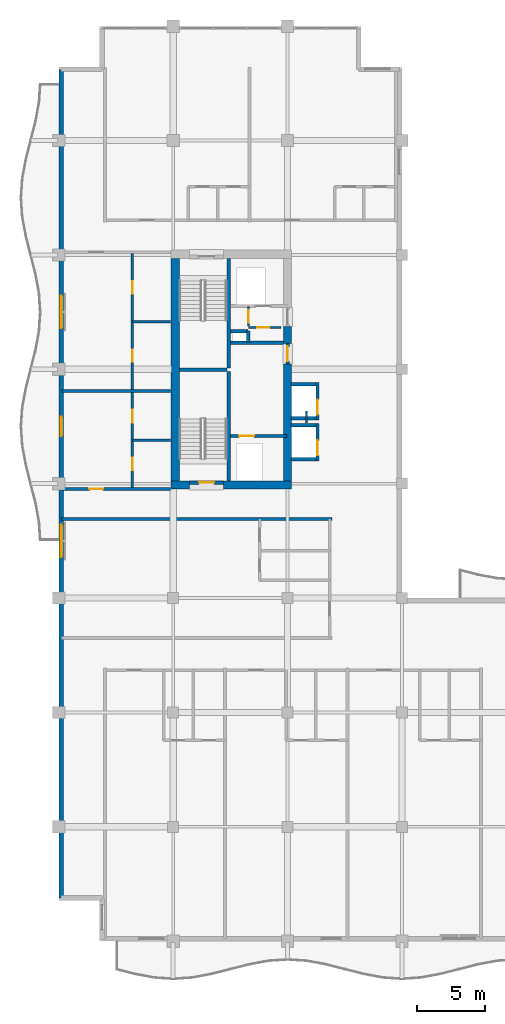
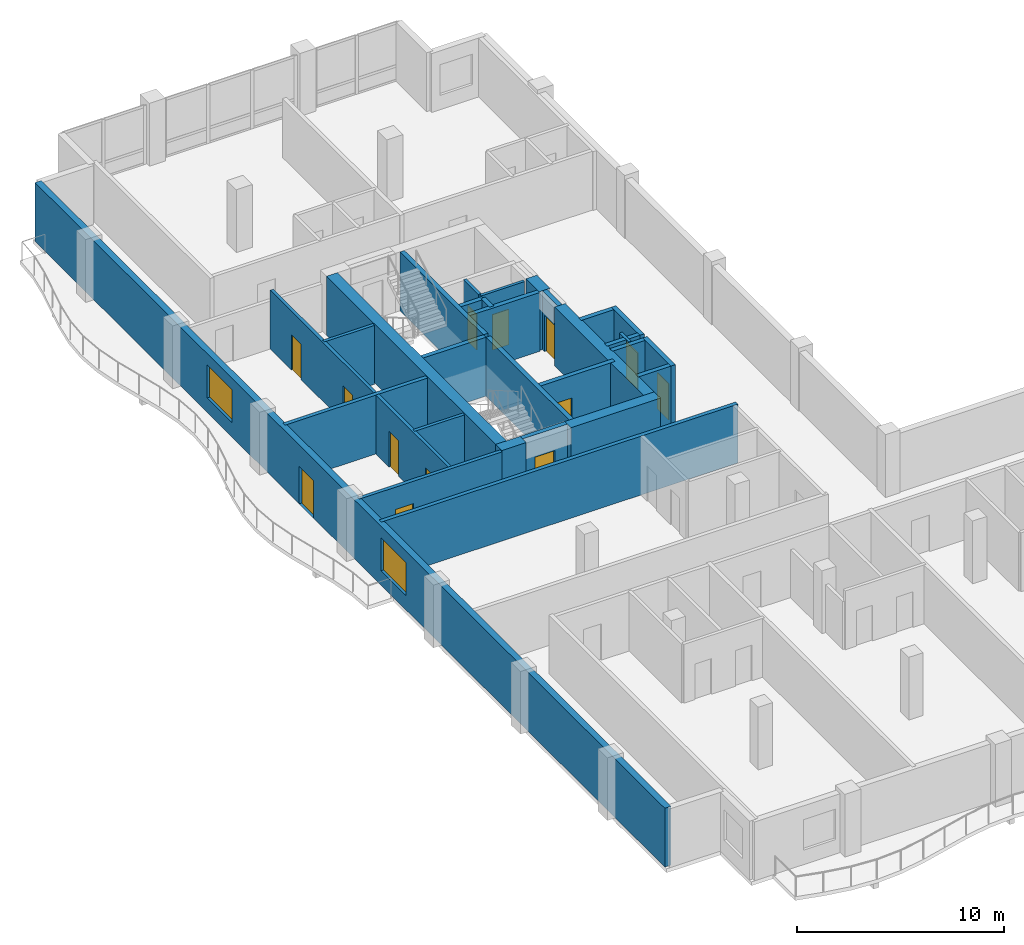
# One storey, part 9 of 17: 31 walls, 13 doors, 2 windows, 15 openings.
"""IFC4 building model written with IfcOpenShell, lengths in metres."""

from ifc_helpers import new_model, si_unit, direction, frame, frame_2d, origin, place, context, subcontext, project, spatial, rectangle, extrude, material, layer, layer_set, type_object, element, fill, save


model = new_model("IFC4")

# Units and contexts
model_context = context("Model", 3, precision=1e-05, world=origin(), true_north=direction((0.0, 1.0)))
body_context = subcontext(model_context, "Body", "Model", "MODEL_VIEW")
ifc_project = project(units=[si_unit("LENGTHUNIT", "METRE"), si_unit("AREAUNIT", "SQUARE_METRE"), si_unit("VOLUMEUNIT", "CUBIC_METRE"), si_unit("PLANEANGLEUNIT", "RADIAN"), si_unit("MASSUNIT", "GRAM", prefix="KILO")], contexts=[model_context])

# Site, building, storey
site_placement = place(None, origin())
site = spatial("IfcSite", under=ifc_project, at=site_placement, CompositionType="ELEMENT")
building_placement = place(site_placement, origin())
building = spatial("IfcBuilding", under=site, at=building_placement, Name="Koriwani Terraces Tower", CompositionType="ELEMENT")
storey_placement = place(building_placement, frame((0.0, 0.0, 237.89990234375)))
storey = spatial("IfcBuildingStorey", under=building, at=storey_placement, Name="L58", CompositionType="ELEMENT", Elevation=237.89990234375)

# Walls
ifc_material_1 = material(Name="Concrete C60/75", Category="concrete")
ifc_layer_1 = layer(ifc_material_1, 0.60009765625, Name="Concrete C60/75")
ifc_layer_set_1 = layer_set([ifc_layer_1], Name="Concrete C60/75")
wall_type_1 = type_object("IfcWallType", Name="WALL_CORE_RC_600", PredefinedType="SHEAR", material=ifc_layer_set_1)
wall_1_placement = place(storey_placement, frame((16.64990234375, 41.89990234375, 0.0), z_axis=(0.0, 0.0, 1.0), x_axis=(1.0, 0.0, 0.0)))
element("IfcWall", 1, at=wall_1_placement, inside=storey, type_object=wall_type_1, Name="L58 West Split Core Shear Wall S1", PredefinedType="SHEAR", context=body_context, shape_type="SweptSolid", body=[
    extrude(rectangle(XDim=1.35009765625, YDim=0.60009765625, at=frame_2d((0.675048828125, 0.0))), origin(), (0.0, 0.0, 1.0), 3.47021484375),
])
wall_2_placement = place(storey_placement, frame((20.5, 41.89990234375, 0.0), z_axis=(0.0, 0.0, 1.0), x_axis=(1.0, 0.0, 0.0)))
element("IfcWall", 2, at=wall_2_placement, inside=storey, type_object=wall_type_1, Name="L58 West Split Core Shear Wall S2", PredefinedType="SHEAR", context=body_context, shape_type="SweptSolid", body=[
    extrude(rectangle(XDim=5.0, YDim=0.60009765625, at=frame_2d((2.5, 0.0))), origin(), (0.0, 0.0, 1.0), 3.47021484375),
])
wall_3_placement = place(storey_placement, frame((16.949951171875, 42.199951171875, 0.0), z_axis=(0.0, 0.0, 1.0), x_axis=(0.0, 1.0, 0.0)))
element("IfcWall", 3, at=wall_3_placement, inside=storey, type_object=wall_type_1, Name="L58 West Split Core Shear Wall W1", PredefinedType="SHEAR", context=body_context, shape_type="SweptSolid", body=[
    extrude(rectangle(XDim=16.35009765625, YDim=0.60009765625, at=frame_2d((8.175048828125, 0.0))), origin(), (0.0, 0.0, 1.0), 3.47021484375),
])
wall_4_placement = place(storey_placement, frame((25.199951171875, 42.199951171875, 0.0), z_axis=(0.0, 0.0, 1.0), x_axis=(0.0, 1.0, 0.0)))
element("IfcWall", 4, at=wall_4_placement, inside=storey, type_object=wall_type_1, Name="L58 West Split Core Shear Wall E1", PredefinedType="SHEAR", context=body_context, shape_type="SweptSolid", body=[
    extrude(rectangle(XDim=8.60009765625, YDim=0.60009765625, at=frame_2d((4.300048828125, 0.0))), origin(), (0.0, 0.0, 1.0), 3.47021484375),
])
wall_5_placement = place(storey_placement, frame((25.199951171875, 52.280029296875, 0.0), z_axis=(0.0, 0.0, 1.0), x_axis=(0.0, 1.0, 0.0)))
element("IfcWall", 5, at=wall_5_placement, inside=storey, type_object=wall_type_1, Name="L58 West Split Core Shear Wall E2", PredefinedType="SHEAR", context=body_context, shape_type="SweptSolid", body=[
    extrude(rectangle(XDim=1.27001953125, YDim=0.60009765625, at=frame_2d((0.635009765625, 0.0))), origin(), (0.0, 0.0, 1.0), 3.47021484375),
])

# Wall, opening, door
ifc_material_2 = material(Name="Autoclaved Cellular Concrete Blockwork", Category="masonry")
ifc_layer_2 = layer(ifc_material_2, 0.199951171875, Name="Autoclaved Cellular Concrete Blockwork")
ifc_layer_set_2 = layer_set([ifc_layer_2], Name="Autoclaved Cellular Concrete Blockwork")
wall_type_2 = type_object("IfcWallType", Name="WALL_CORRIDOR_200", PredefinedType="PARTITIONING", material=ifc_layer_set_2)
wall_6_placement = place(storey_placement, frame((8.64990234375, 41.60009765625, 0.0), z_axis=(0.0, 0.0, 1.0), x_axis=(1.0, 0.0, 0.0)))
wall_6 = element("IfcWall", 6, at=wall_6_placement, inside=storey, type_object=wall_type_2, Name="L58 Interior Wall WRZ4-WS-L58", PredefinedType="PARTITIONING", context=body_context, shape_type="SweptSolid", body=[
    extrude(rectangle(XDim=7.9501953125, YDim=0.199951171875, at=frame_2d((3.97509765625, 0.0))), origin(), (0.0, 0.0, 1.0), 3.47021484375),
])
opening_1_placement = place(wall_6_placement, frame((2.0, 0.0, 0.0)))
opening_1 = element("IfcOpeningElement", 7, at=opening_1_placement, cuts=wall_6, Name="Opening D-05", PredefinedType="OPENING", context=body_context, shape_type="SweptSolid", body=[
    extrude(rectangle(XDim=1.0, YDim=2.14990234375, at=frame_2d((0.5, 1.074951171875))), frame((0.0, 0.10986328125, 0.0), z_axis=(0.0, -1.0, 0.0), x_axis=(1.0, 0.0, 0.0)), (0.0, 0.0, 1.0), 0.219970703125),
])
ifc_material_3 = material(Name="Architectural Oak Fire Door", Category="wood")
door_type_1 = type_object("IfcDoorType", Name="DOOR_SUITE_ENTRY_1000X2150", OperationType="NOTDEFINED", PredefinedType="DOOR", material=ifc_material_3)
door_1_placement = place(opening_1_placement, origin())
door_1 = element("IfcDoor", 8, at=door_1_placement, inside=storey, type_object=door_type_1, Name="Apartment 58RW1 Entrance Door", OperationType="SINGLE_SWING_RIGHT", OverallHeight=2.14990234375, OverallWidth=1.0, PredefinedType="DOOR", context=body_context, shape_type="SweptSolid", body=[
    extrude(rectangle(XDim=1.0, YDim=2.14990234375, at=frame_2d((0.5, 1.074951171875))), frame((0.0, 0.02490234375, 0.0), z_axis=(0.0, -1.0, 0.0), x_axis=(1.0, 0.0, 0.0)), (0.0, 0.0, 1.0), 0.050048828125),
])
fill(opening_1, door_1)

# Walls
ifc_layer_3 = layer(ifc_material_2, 0.219970703125, Name="Autoclaved Cellular Concrete Blockwork")
ifc_layer_set_3 = layer_set([ifc_layer_3], Name="Autoclaved Cellular Concrete Blockwork")
wall_type_3 = type_object("IfcWallType", Name="WALL_DEMISING_220", PredefinedType="PARTITIONING", material=ifc_layer_set_3)
wall_7_placement = place(storey_placement, frame((8.64990234375, 48.800048828125, 0.0), z_axis=(0.0, 0.0, 1.0), x_axis=(1.0, 0.0, 0.0)))
element("IfcWall", 9, at=wall_7_placement, inside=storey, type_object=wall_type_3, Name="L58 Interior Wall WRZ4-WM-L58", PredefinedType="PARTITIONING", context=body_context, shape_type="SweptSolid", body=[
    extrude(rectangle(XDim=7.9501953125, YDim=0.219970703125, at=frame_2d((3.97509765625, 0.0))), origin(), (0.0, 0.0, 1.0), 3.47021484375),
])
wall_8_placement = place(storey_placement, frame((8.60009765625, 39.39990234375, 0.0), z_axis=(0.0, 0.0, 1.0), x_axis=(1.0, 0.0, 0.0)))
element("IfcWall", 10, at=wall_8_placement, inside=storey, type_object=wall_type_3, Name="L58 Interior Wall WRDEME-L58-NE", PredefinedType="PARTITIONING", context=body_context, shape_type="SweptSolid", body=[
    extrude(rectangle(XDim=19.8798828125, YDim=0.219970703125, at=frame_2d((9.93994140625, 0.0))), origin(), (0.0, 0.0, 1.0), 3.47021484375),
])

# Wall, openings, door, windows
ifc_material_4 = material(Name="Concrete C50/60", Category="concrete")
ifc_layer_4 = layer(ifc_material_4, 0.35009765625, Name="Concrete C50/60")
ifc_layer_set_4 = layer_set([ifc_layer_4], Name="Concrete C50/60")
wall_type_4 = type_object("IfcWallType", Name="WALL_EXT_BRUTALIST_350", PredefinedType="STANDARD", material=ifc_layer_set_4)
wall_9_placement = place(storey_placement, frame((8.574951171875, 11.574951171875, 0.0), z_axis=(0.0, 0.0, 1.0), x_axis=(0.0, 1.0, 0.0)))
wall_9 = element("IfcWall", 11, at=wall_9_placement, inside=storey, type_object=wall_type_4, Name="L58 Fair-Faced Brutalist Exterior Wall (W)", PredefinedType="STANDARD", context=body_context, shape_type="SweptSolid", body=[
    extrude(rectangle(XDim=60.85009765625, YDim=0.35009765625, at=frame_2d((30.425048828125, 0.0))), origin(), (0.0, 0.0, 1.0), 3.47021484375),
])
opening_2_placement = place(wall_9_placement, frame((33.925048828125, 0.0, 0.0)))
opening_2 = element("IfcOpeningElement", 12, at=opening_2_placement, cuts=wall_9, Name="Opening D-09", PredefinedType="OPENING", context=body_context, shape_type="SweptSolid", body=[
    extrude(rectangle(XDim=1.39990234375, YDim=2.199951171875, at=frame_2d((0.699951171875, 1.10009765625))), frame((0.0, 0.18505859375, 0.0), z_axis=(0.0, -1.0, 0.0), x_axis=(1.0, 0.0, 0.0)), (0.0, 0.0, 1.0), 0.3701171875),
])
opening_3_placement = place(wall_9_placement, frame((25.02490234375, 0.0, 0.85009765625)))
opening_3 = element("IfcOpeningElement", 13, at=opening_3_placement, cuts=wall_9, Name="Opening W-03", PredefinedType="OPENING", context=body_context, shape_type="SweptSolid", body=[
    extrude(rectangle(XDim=2.39990234375, YDim=1.949951171875, at=frame_2d((1.199951171875, 0.97509765625))), frame((0.0, 0.18505859375, 0.0), z_axis=(0.0, -1.0, 0.0), x_axis=(1.0, 0.0, 0.0)), (0.0, 0.0, 1.0), 0.3701171875),
])
opening_4_placement = place(wall_9_placement, frame((41.824951171875, 0.0, 0.85009765625)))
opening_4 = element("IfcOpeningElement", 14, at=opening_4_placement, cuts=wall_9, Name="Opening W-03", PredefinedType="OPENING", context=body_context, shape_type="SweptSolid", body=[
    extrude(rectangle(XDim=2.39990234375, YDim=1.949951171875, at=frame_2d((1.199951171875, 0.97509765625))), frame((0.0, 0.18505859375, 0.0), z_axis=(0.0, -1.0, 0.0), x_axis=(1.0, 0.0, 0.0)), (0.0, 0.0, 1.0), 0.3701171875),
])
ifc_material_5 = material(Name="Anodised Bronze Aluminium", Category="aluminium")
door_type_2 = type_object("IfcDoorType", Name="DOOR_BALCONY_GLAZED_1400X2200", OperationType="NOTDEFINED", PredefinedType="DOOR", material=ifc_material_5)
door_2_placement = place(opening_2_placement, origin())
door_2 = element("IfcDoor", 15, at=door_2_placement, inside=storey, type_object=door_type_2, Name="L58 West Balcony Glazed Door", OperationType="SINGLE_SWING_LEFT", OverallHeight=2.199951171875, OverallWidth=1.39990234375, PredefinedType="DOOR", context=body_context, shape_type="SweptSolid", body=[
    extrude(rectangle(XDim=1.39990234375, YDim=2.199951171875, at=frame_2d((0.699951171875, 1.10009765625))), frame((0.0, 0.02490234375, 0.0), z_axis=(0.0, -1.0, 0.0), x_axis=(1.0, 0.0, 0.0)), (0.0, 0.0, 1.0), 0.050048828125),
])
fill(opening_2, door_2)
ifc_material_6 = material(Name="Tempered Laminated Low-E Glass", Category="glass")
window_type = type_object("IfcWindowType", Name="WIN_RES_LIVING_2400X1950", PartitioningType="DOUBLE_PANEL_VERTICAL", PredefinedType="WINDOW", material=ifc_material_6)
window_1_placement = place(opening_3_placement, origin())
window_1 = element("IfcWindow", 16, at=window_1_placement, inside=storey, type_object=window_type, Name="L58 Exterior Window (W-9)", OverallHeight=1.949951171875, OverallWidth=2.39990234375, PartitioningType="SINGLE_PANEL", PredefinedType="WINDOW", context=body_context, shape_type="SweptSolid", body=[
    extrude(rectangle(XDim=2.39990234375, YDim=1.949951171875, at=frame_2d((1.199951171875, 0.97509765625))), frame((0.0, 0.030029296875, 0.0), z_axis=(0.0, -1.0, 0.0), x_axis=(1.0, 0.0, 0.0)), (0.0, 0.0, 1.0), 0.06005859375),
])
fill(opening_3, window_1)
window_2_placement = place(opening_4_placement, origin())
window_2 = element("IfcWindow", 17, at=window_2_placement, inside=storey, type_object=window_type, Name="L58 Exterior Window (W-15)", OverallHeight=1.949951171875, OverallWidth=2.39990234375, PartitioningType="SINGLE_PANEL", PredefinedType="WINDOW", context=body_context, shape_type="SweptSolid", body=[
    extrude(rectangle(XDim=2.39990234375, YDim=1.949951171875, at=frame_2d((1.199951171875, 0.97509765625))), frame((0.0, 0.030029296875, 0.0), z_axis=(0.0, -1.0, 0.0), x_axis=(1.0, 0.0, 0.0)), (0.0, 0.0, 1.0), 0.06005859375),
])
fill(opening_4, window_2)

# Wall, openings, doors
ifc_material_7 = material(Name="Fire-Rated Acoustic Gypsum Partition", Category="masonry")
ifc_layer_5 = layer(ifc_material_7, 0.179931640625, Name="Fire-Rated Acoustic Gypsum Partition")
ifc_layer_set_5 = layer_set([ifc_layer_5], Name="Fire-Rated Acoustic Gypsum Partition")
wall_type_5 = type_object("IfcWallType", Name="WALL_PLUMBING_180", PredefinedType="PLUMBINGWALL", material=ifc_layer_set_5)
wall_10_placement = place(storey_placement, frame((13.800048828125, 41.699951171875, 0.0), z_axis=(0.0, 0.0, 1.0), x_axis=(0.0, 1.0, 0.0)))
wall_10 = element("IfcWall", 18, at=wall_10_placement, inside=storey, type_object=wall_type_5, Name="L58 Interior Wall WRZ4-RW1-PB-L58", PredefinedType="PLUMBINGWALL", context=body_context, shape_type="SweptSolid", body=[
    extrude(rectangle(XDim=7.0, YDim=0.179931640625, at=frame_2d((3.5, 0.0))), origin(), (0.0, 0.0, 1.0), 3.47021484375),
])
opening_5_placement = place(wall_10_placement, frame((1.300048828125, 0.0, 0.0)))
opening_5 = element("IfcOpeningElement", 19, at=opening_5_placement, cuts=wall_10, Name="Opening D-07", PredefinedType="OPENING", context=body_context, shape_type="SweptSolid", body=[
    extrude(rectangle(XDim=0.89990234375, YDim=2.10009765625, at=frame_2d((0.449951171875, 1.050048828125))), frame((0.0, 0.10009765625, 0.0), z_axis=(0.0, -1.0, 0.0), x_axis=(1.0, 0.0, 0.0)), (0.0, 0.0, 1.0), 0.199951171875),
])
opening_6_placement = place(wall_10_placement, frame((4.7900390625, 0.0, 0.0)))
opening_6 = element("IfcOpeningElement", 20, at=opening_6_placement, cuts=wall_10, Name="Opening D-06", PredefinedType="OPENING", context=body_context, shape_type="SweptSolid", body=[
    extrude(rectangle(XDim=0.919921875, YDim=2.10009765625, at=frame_2d((0.4599609375, 1.050048828125))), frame((0.0, 0.10009765625, 0.0), z_axis=(0.0, -1.0, 0.0), x_axis=(1.0, 0.0, 0.0)), (0.0, 0.0, 1.0), 0.199951171875),
])
door_type_3 = type_object("IfcDoorType", Name="DOOR_BATH_INT_900X2100", OperationType="NOTDEFINED", PredefinedType="DOOR", material=ifc_material_3)
door_3_placement = place(opening_5_placement, origin())
door_3 = element("IfcDoor", 21, at=door_3_placement, inside=storey, type_object=door_type_3, Name="Apartment 58RW1 Bathroom Door", OperationType="SINGLE_SWING_RIGHT", OverallHeight=2.10009765625, OverallWidth=0.89990234375, PredefinedType="DOOR", context=body_context, shape_type="SweptSolid", body=[
    extrude(rectangle(XDim=0.89990234375, YDim=2.10009765625, at=frame_2d((0.449951171875, 1.050048828125))), frame((0.0, 0.02490234375, 0.0), z_axis=(0.0, -1.0, 0.0), x_axis=(1.0, 0.0, 0.0)), (0.0, 0.0, 1.0), 0.050048828125),
])
fill(opening_5, door_3)
door_type_4 = type_object("IfcDoorType", Name="DOOR_ROOM_INT_920X2100", OperationType="NOTDEFINED", PredefinedType="DOOR", material=ifc_material_3)
door_4_placement = place(opening_6_placement, origin())
door_4 = element("IfcDoor", 22, at=door_4_placement, inside=storey, type_object=door_type_4, Name="Apartment 58RW1 Kitchen Door", OperationType="SINGLE_SWING_LEFT", OverallHeight=2.10009765625, OverallWidth=0.919921875, PredefinedType="DOOR", context=body_context, shape_type="SweptSolid", body=[
    extrude(rectangle(XDim=0.919921875, YDim=2.10009765625, at=frame_2d((0.4599609375, 1.050048828125))), frame((0.0, 0.02490234375, 0.0), z_axis=(0.0, -1.0, 0.0), x_axis=(1.0, 0.0, 0.0)), (0.0, 0.0, 1.0), 0.050048828125),
])
fill(opening_6, door_4)

# Wall
wall_11_placement = place(storey_placement, frame((13.800048828125, 45.199951171875, 0.0), z_axis=(0.0, 0.0, 1.0), x_axis=(1.0, 0.0, 0.0)))
element("IfcWall", 23, at=wall_11_placement, inside=storey, type_object=wall_type_5, Name="L58 Interior Wall WRZ4-RW1-P2-L58", PredefinedType="PLUMBINGWALL", context=body_context, shape_type="SweptSolid", body=[
    extrude(rectangle(XDim=2.800048828125, YDim=0.179931640625, at=frame_2d((1.39990234375, 0.0))), origin(), (0.0, 0.0, 1.0), 3.47021484375),
])

# Wall, openings, doors
wall_12_placement = place(storey_placement, frame((13.800048828125, 48.89990234375, 0.0), z_axis=(0.0, 0.0, 1.0), x_axis=(0.0, 1.0, 0.0)))
wall_12 = element("IfcWall", 24, at=wall_12_placement, inside=storey, type_object=wall_type_5, Name="L58 Interior Wall WRZ4-RW2-PB-L58", PredefinedType="PLUMBINGWALL", context=body_context, shape_type="SweptSolid", body=[
    extrude(rectangle(XDim=10.0, YDim=0.179931640625, at=frame_2d((5.0, 0.0))), origin(), (0.0, 0.0, 1.0), 3.47021484375),
])
opening_7_placement = place(wall_12_placement, frame((2.050048828125, 0.0, 0.0)))
opening_7 = element("IfcOpeningElement", 25, at=opening_7_placement, cuts=wall_12, Name="Opening D-07", PredefinedType="OPENING", context=body_context, shape_type="SweptSolid", body=[
    extrude(rectangle(XDim=0.89990234375, YDim=2.10009765625, at=frame_2d((0.449951171875, 1.050048828125))), frame((0.0, 0.10009765625, 0.0), z_axis=(0.0, -1.0, 0.0), x_axis=(1.0, 0.0, 0.0)), (0.0, 0.0, 1.0), 0.199951171875),
])
opening_8_placement = place(wall_12_placement, frame((7.0400390625, 0.0, 0.0)))
opening_8 = element("IfcOpeningElement", 26, at=opening_8_placement, cuts=wall_12, Name="Opening D-06", PredefinedType="OPENING", context=body_context, shape_type="SweptSolid", body=[
    extrude(rectangle(XDim=0.919921875, YDim=2.10009765625, at=frame_2d((0.4599609375, 1.050048828125))), frame((0.0, 0.10009765625, 0.0), z_axis=(0.0, -1.0, 0.0), x_axis=(1.0, 0.0, 0.0)), (0.0, 0.0, 1.0), 0.199951171875),
])
door_5_placement = place(opening_7_placement, origin())
door_5 = element("IfcDoor", 27, at=door_5_placement, inside=storey, type_object=door_type_3, Name="Apartment 58RW2 Bathroom Door", OperationType="SINGLE_SWING_RIGHT", OverallHeight=2.10009765625, OverallWidth=0.89990234375, PredefinedType="DOOR", context=body_context, shape_type="SweptSolid", body=[
    extrude(rectangle(XDim=0.89990234375, YDim=2.10009765625, at=frame_2d((0.449951171875, 1.050048828125))), frame((0.0, 0.02490234375, 0.0), z_axis=(0.0, -1.0, 0.0), x_axis=(1.0, 0.0, 0.0)), (0.0, 0.0, 1.0), 0.050048828125),
])
fill(opening_7, door_5)
door_6_placement = place(opening_8_placement, origin())
door_6 = element("IfcDoor", 28, at=door_6_placement, inside=storey, type_object=door_type_4, Name="Apartment 58RW2 Kitchen Door", OperationType="SINGLE_SWING_LEFT", OverallHeight=2.10009765625, OverallWidth=0.919921875, PredefinedType="DOOR", context=body_context, shape_type="SweptSolid", body=[
    extrude(rectangle(XDim=0.919921875, YDim=2.10009765625, at=frame_2d((0.4599609375, 1.050048828125))), frame((0.0, 0.02490234375, 0.0), z_axis=(0.0, -1.0, 0.0), x_axis=(1.0, 0.0, 0.0)), (0.0, 0.0, 1.0), 0.050048828125),
])
fill(opening_8, door_6)

# Walls
wall_13_placement = place(storey_placement, frame((13.800048828125, 53.89990234375, 0.0), z_axis=(0.0, 0.0, 1.0), x_axis=(1.0, 0.0, 0.0)))
element("IfcWall", 29, at=wall_13_placement, inside=storey, type_object=wall_type_5, Name="L58 Interior Wall WRZ4-RW2-P2-L58", PredefinedType="PLUMBINGWALL", context=body_context, shape_type="SweptSolid", body=[
    extrude(rectangle(XDim=2.800048828125, YDim=0.179931640625, at=frame_2d((1.39990234375, 0.0))), origin(), (0.0, 0.0, 1.0), 3.47021484375),
])
ifc_material_8 = material(Name="Concrete C40/50", Category="concrete")
ifc_layer_6 = layer(ifc_material_8, 0.25, Name="Concrete C40/50")
ifc_layer_set_6 = layer_set([ifc_layer_6], Name="Concrete C40/50")
wall_type_6 = type_object("IfcWallType", Name="WALL_SHAFT_RATED_250", PredefinedType="SOLIDWALL", material=ifc_layer_set_6)
for number, where, z_axis, x_axis, name in (
    (30, (20.875, 42.199951171875, 0.0), (0.0, 0.0, 1.0), (0.0, 1.0, 0.0), "L58 West Split Core Web Wall MID1"),
    (31, (20.875, 50.5, 0.0), (0.0, 0.0, 1.0), (0.0, 1.0, 0.0), "L58 West Split Core Web Wall MID2"),
):
    element("IfcWall", number, at=place(storey_placement, frame(where, z_axis=z_axis, x_axis=x_axis)), inside=storey, type_object=wall_type_6, Name=name, PredefinedType="SOLIDWALL", context=body_context, shape_type="SweptSolid", body=[
        extrude(rectangle(XDim=8.050048828125, YDim=0.25, at=frame_2d((4.02490234375, 0.0))), origin(), (0.0, 0.0, 1.0), 3.47021484375),
    ])
wall_14_placement = place(storey_placement, frame((17.25, 50.375, 0.0), z_axis=(0.0, 0.0, 1.0), x_axis=(1.0, 0.0, 0.0)))
element("IfcWall", 32, at=wall_14_placement, inside=storey, type_object=wall_type_6, Name="L58 West Split Core Stair Dividing Wall", PredefinedType="SOLIDWALL", context=body_context, shape_type="SweptSolid", body=[
    extrude(rectangle(XDim=3.5, YDim=0.25, at=frame_2d((1.75, 0.0))), origin(), (0.0, 0.0, 1.0), 3.47021484375),
])

# Wall, opening, door
wall_15_placement = place(storey_placement, frame((18.0, 42.074951171875, 0.0), z_axis=(0.0, 0.0, 1.0), x_axis=(1.0, 0.0, 0.0)))
wall_15 = element("IfcWall", 33, at=wall_15_placement, inside=storey, type_object=wall_type_6, Name="L58 Interior Wall WIN-CW-L58-STS", PredefinedType="SOLIDWALL", context=body_context, shape_type="SweptSolid", body=[
    extrude(rectangle(XDim=2.5, YDim=0.25, at=frame_2d((1.25, 0.0))), origin(), (0.0, 0.0, 1.0), 3.47021484375),
])
opening_9_placement = place(wall_15_placement, frame((0.699951171875, 0.0, 0.0)))
opening_9 = element("IfcOpeningElement", 34, at=opening_9_placement, cuts=wall_15, Name="Opening D-03", PredefinedType="OPENING", context=body_context, shape_type="SweptSolid", body=[
    extrude(rectangle(XDim=1.10009765625, YDim=2.14990234375, at=frame_2d((0.550048828125, 1.074951171875))), frame((0.0, 0.135009765625, 0.0), z_axis=(0.0, -1.0, 0.0), x_axis=(1.0, 0.0, 0.0)), (0.0, 0.0, 1.0), 0.27001953125),
])
ifc_material_9 = material(Name="Steel ASTM A572 Grade 50", Category="steel")
door_type_5 = type_object("IfcDoorType", Name="DOOR_STAIR_FIRE_1100X2150", OperationType="NOTDEFINED", PredefinedType="DOOR", material=ifc_material_9)
door_7_placement = place(opening_9_placement, origin())
door_7 = element("IfcDoor", 35, at=door_7_placement, inside=storey, type_object=door_type_5, Name="L58 Exit Stair ST-W1 Door", OperationType="SINGLE_SWING_RIGHT", OverallHeight=2.14990234375, OverallWidth=1.10009765625, PredefinedType="DOOR", context=body_context, shape_type="SweptSolid", body=[
    extrude(rectangle(XDim=1.10009765625, YDim=2.14990234375, at=frame_2d((0.550048828125, 1.074951171875))), frame((0.0, 0.02490234375, 0.0), z_axis=(0.0, -1.0, 0.0), x_axis=(1.0, 0.0, 0.0)), (0.0, 0.0, 1.0), 0.050048828125),
])
fill(opening_9, door_7)

wall_16_placement = place(storey_placement, frame((21.0, 45.5, 0.0), z_axis=(0.0, 0.0, 1.0), x_axis=(1.0, 0.0, 0.0)))
wall_16 = element("IfcWall", 36, at=wall_16_placement, inside=storey, type_object=wall_type_6, Name="L58 Interior Wall WIN-CW-L58-FE", PredefinedType="SOLIDWALL", context=body_context, shape_type="SweptSolid", body=[
    extrude(rectangle(XDim=4.14990234375, YDim=0.25, at=frame_2d((2.074951171875, 0.0))), origin(), (0.0, 0.0, 1.0), 3.47021484375),
])
opening_10_placement = place(wall_16_placement, frame((0.64990234375, 0.0, 0.0)))
opening_10 = element("IfcOpeningElement", 37, at=opening_10_placement, cuts=wall_16, Name="Opening LD-01", PredefinedType="OPENING", context=body_context, shape_type="SweptSolid", body=[
    extrude(rectangle(XDim=1.10009765625, YDim=2.14990234375, at=frame_2d((0.550048828125, 1.074951171875))), frame((0.0, 0.135009765625, 0.0), z_axis=(0.0, -1.0, 0.0), x_axis=(1.0, 0.0, 0.0)), (0.0, 0.0, 1.0), 0.27001953125),
])
door_type_6 = type_object("IfcDoorType", Name="DOOR_LIFT_LANDING_1100X2200", OperationType="NOTDEFINED", PredefinedType="DOOR", material=ifc_material_9)
door_8_placement = place(opening_10_placement, origin())
door_8 = element("IfcDoor", 38, at=door_8_placement, inside=storey, type_object=door_type_6, Name="L58 Firefighting Lift FE-01 Landing Door", OperationType="SLIDING_TO_LEFT", OverallHeight=2.14990234375, OverallWidth=1.10009765625, PredefinedType="DOOR", context=body_context, shape_type="SweptSolid", body=[
    extrude(rectangle(XDim=1.10009765625, YDim=2.14990234375, at=frame_2d((0.550048828125, 1.074951171875))), frame((0.0, 0.02490234375, 0.0), z_axis=(0.0, -1.0, 0.0), x_axis=(1.0, 0.0, 0.0)), (0.0, 0.0, 1.0), 0.050048828125),
])
fill(opening_10, door_8)

wall_17_placement = place(storey_placement, frame((25.199951171875, 50.800048828125, 0.0), z_axis=(0.0, 0.0, 1.0), x_axis=(0.0, 1.0, 0.0)))
wall_17 = element("IfcWall", 39, at=wall_17_placement, inside=storey, type_object=wall_type_6, Name="L58 Interior Wall WIN-CW-L58-EP", PredefinedType="SOLIDWALL", context=body_context, shape_type="SweptSolid", body=[
    extrude(rectangle(XDim=1.47998046875, YDim=0.25, at=frame_2d((0.739990234375, 0.0))), origin(), (0.0, 0.0, 1.0), 3.47021484375),
])
opening_11_placement = place(wall_17_placement, frame((0.179931640625, 0.0, 0.0)))
opening_11 = element("IfcOpeningElement", 40, at=opening_11_placement, cuts=wall_17, Name="Opening D-03", PredefinedType="OPENING", context=body_context, shape_type="SweptSolid", body=[
    extrude(rectangle(XDim=1.10009765625, YDim=2.14990234375, at=frame_2d((0.550048828125, 1.074951171875))), frame((0.0, 0.135009765625, 0.0), z_axis=(0.0, -1.0, 0.0), x_axis=(1.0, 0.0, 0.0)), (0.0, 0.0, 1.0), 0.27001953125),
])
door_9_placement = place(opening_11_placement, origin())
door_9 = element("IfcDoor", 41, at=door_9_placement, inside=storey, type_object=door_type_5, Name="L58 West Firefighting Lobby Door", OperationType="SINGLE_SWING_RIGHT", OverallHeight=2.14990234375, OverallWidth=1.10009765625, PredefinedType="DOOR", context=body_context, shape_type="SweptSolid", body=[
    extrude(rectangle(XDim=1.10009765625, YDim=2.14990234375, at=frame_2d((0.550048828125, 1.074951171875))), frame((0.0, 0.02490234375, 0.0), z_axis=(0.0, -1.0, 0.0), x_axis=(1.0, 0.0, 0.0)), (0.0, 0.0, 1.0), 0.050048828125),
])
fill(opening_11, door_9)

# Walls
wall_18_placement = place(storey_placement, frame((21.0, 52.340087890625, 0.0), z_axis=(0.0, 0.0, 1.0), x_axis=(1.0, 0.0, 0.0)))
element("IfcWall", 42, at=wall_18_placement, inside=storey, type_object=wall_type_6, Name="L58 Interior Wall WIN-CW-L58-FFN", PredefinedType="SOLIDWALL", context=body_context, shape_type="SweptSolid", body=[
    extrude(rectangle(XDim=3.89990234375, YDim=0.25, at=frame_2d((1.949951171875, 0.0))), origin(), (0.0, 0.0, 1.0), 3.47021484375),
])
wall_19_placement = place(storey_placement, frame((21.0, 53.199951171875, 0.0), z_axis=(0.0, 0.0, 1.0), x_axis=(1.0, 0.0, 0.0)))
element("IfcWall", 43, at=wall_19_placement, inside=storey, type_object=wall_type_6, Name="L58 Interior Wall WIN-CW-L58-RS1", PredefinedType="SOLIDWALL", context=body_context, shape_type="SweptSolid", body=[
    extrude(rectangle(XDim=1.300048828125, YDim=0.25, at=frame_2d((0.64990234375, 0.0))), origin(), (0.0, 0.0, 1.0), 3.47021484375),
])
wall_20_placement = place(storey_placement, frame((22.300048828125, 52.360107421875, 0.0), z_axis=(0.0, 0.0, 1.0), x_axis=(0.0, 1.0, 0.0)))
element("IfcWall", 44, at=wall_20_placement, inside=storey, type_object=wall_type_6, Name="L58 Interior Wall WIN-CW-L58-RS2", PredefinedType="SOLIDWALL", context=body_context, shape_type="SweptSolid", body=[
    extrude(rectangle(XDim=0.83984375, YDim=0.25, at=frame_2d((0.419921875, 0.0))), origin(), (0.0, 0.0, 1.0), 3.47021484375),
])

# Wall, opening, door
wall_21_placement = place(storey_placement, frame((27.39990234375, 43.675048828125, 0.0), z_axis=(0.0, 0.0, 1.0), x_axis=(0.0, 1.0, 0.0)))
wall_21 = element("IfcWall", 45, at=wall_21_placement, inside=storey, type_object=wall_type_6, Name="L58 Interior Wall WIN-LF-PE-H1-L58-F", PredefinedType="SOLIDWALL", context=body_context, shape_type="SweptSolid", body=[
    extrude(rectangle(XDim=2.75, YDim=0.25, at=frame_2d((1.375, 0.0))), origin(), (0.0, 0.0, 1.0), 3.47021484375),
])
opening_12_placement = place(wall_21_placement, frame((0.39990234375, 0.0, 0.0)))
opening_12 = element("IfcOpeningElement", 46, at=opening_12_placement, cuts=wall_21, Name="Opening LD-01", PredefinedType="OPENING", context=body_context, shape_type="SweptSolid", body=[
    extrude(rectangle(XDim=1.10009765625, YDim=2.14990234375, at=frame_2d((0.550048828125, 1.074951171875))), frame((0.0, 0.135009765625, 0.0), z_axis=(0.0, -1.0, 0.0), x_axis=(1.0, 0.0, 0.0)), (0.0, 0.0, 1.0), 0.27001953125),
])
door_10_placement = place(opening_12_placement, origin())
door_10 = element("IfcDoor", 47, at=door_10_placement, inside=storey, type_object=door_type_6, Name="L58 Passenger Lift PE-H1 Landing Door", OperationType="SLIDING_TO_LEFT", OverallHeight=2.14990234375, OverallWidth=1.10009765625, PredefinedType="DOOR", context=body_context, shape_type="SweptSolid", body=[
    extrude(rectangle(XDim=1.10009765625, YDim=2.14990234375, at=frame_2d((0.550048828125, 1.074951171875))), frame((0.0, 0.02490234375, 0.0), z_axis=(0.0, -1.0, 0.0), x_axis=(1.0, 0.0, 0.0)), (0.0, 0.0, 1.0), 0.050048828125),
])
fill(opening_12, door_10)

# Walls
for number, where, z_axis, x_axis, name in (
    (48, (25.449951171875, 43.800048828125, 0.0), (0.0, 0.0, 1.0), (1.0, 0.0, 0.0), "L58 Interior Wall WIN-LF-PE-H1-L58-S"),
    (49, (25.449951171875, 46.300048828125, 0.0), (0.0, 0.0, 1.0), (1.0, 0.0, 0.0), "L58 Interior Wall WIN-LF-PE-H1-L58-N"),
):
    element("IfcWall", number, at=place(storey_placement, frame(where, z_axis=z_axis, x_axis=x_axis)), inside=storey, type_object=wall_type_6, Name=name, PredefinedType="SOLIDWALL", context=body_context, shape_type="SweptSolid", body=[
        extrude(rectangle(XDim=1.824951171875, YDim=0.25, at=frame_2d((0.91259765625, 0.0))), origin(), (0.0, 0.0, 1.0), 3.47021484375),
    ])

# Wall, opening, door
wall_22_placement = place(storey_placement, frame((27.39990234375, 46.675048828125, 0.0), z_axis=(0.0, 0.0, 1.0), x_axis=(0.0, 1.0, 0.0)))
wall_22 = element("IfcWall", 50, at=wall_22_placement, inside=storey, type_object=wall_type_6, Name="L58 Interior Wall WIN-LF-PE-H2-L58-F", PredefinedType="SOLIDWALL", context=body_context, shape_type="SweptSolid", body=[
    extrude(rectangle(XDim=2.75, YDim=0.25, at=frame_2d((1.375, 0.0))), origin(), (0.0, 0.0, 1.0), 3.47021484375),
])
opening_13_placement = place(wall_22_placement, frame((0.39990234375, 0.0, 0.0)))
opening_13 = element("IfcOpeningElement", 51, at=opening_13_placement, cuts=wall_22, Name="Opening LD-01", PredefinedType="OPENING", context=body_context, shape_type="SweptSolid", body=[
    extrude(rectangle(XDim=1.10009765625, YDim=2.14990234375, at=frame_2d((0.550048828125, 1.074951171875))), frame((0.0, 0.135009765625, 0.0), z_axis=(0.0, -1.0, 0.0), x_axis=(1.0, 0.0, 0.0)), (0.0, 0.0, 1.0), 0.27001953125),
])
door_11_placement = place(opening_13_placement, origin())
door_11 = element("IfcDoor", 52, at=door_11_placement, inside=storey, type_object=door_type_6, Name="L58 Passenger Lift PE-H2 Landing Door", OperationType="SLIDING_TO_LEFT", OverallHeight=2.14990234375, OverallWidth=1.10009765625, PredefinedType="DOOR", context=body_context, shape_type="SweptSolid", body=[
    extrude(rectangle(XDim=1.10009765625, YDim=2.14990234375, at=frame_2d((0.550048828125, 1.074951171875))), frame((0.0, 0.02490234375, 0.0), z_axis=(0.0, -1.0, 0.0), x_axis=(1.0, 0.0, 0.0)), (0.0, 0.0, 1.0), 0.050048828125),
])
fill(opening_13, door_11)

# Walls
for number, where, z_axis, x_axis, name in (
    (53, (25.449951171875, 46.800048828125, 0.0), (0.0, 0.0, 1.0), (1.0, 0.0, 0.0), "L58 Interior Wall WIN-LF-PE-H2-L58-S"),
    (54, (25.449951171875, 49.300048828125, 0.0), (0.0, 0.0, 1.0), (1.0, 0.0, 0.0), "L58 Interior Wall WIN-LF-PE-H2-L58-N"),
):
    element("IfcWall", number, at=place(storey_placement, frame(where, z_axis=z_axis, x_axis=x_axis)), inside=storey, type_object=wall_type_6, Name=name, PredefinedType="SOLIDWALL", context=body_context, shape_type="SweptSolid", body=[
        extrude(rectangle(XDim=1.824951171875, YDim=0.25, at=frame_2d((0.91259765625, 0.0))), origin(), (0.0, 0.0, 1.0), 3.47021484375),
    ])

# Wall, opening, door
ifc_layer_7 = layer(ifc_material_7, 0.159912109375, Name="Fire-Rated Acoustic Gypsum Partition")
ifc_layer_set_7 = layer_set([ifc_layer_7], Name="Fire-Rated Acoustic Gypsum Partition")
wall_type_7 = type_object("IfcWallType", Name="WALL_SUITE_160", PredefinedType="PARTITIONING", material=ifc_layer_set_7)
wall_23_placement = place(storey_placement, frame((22.320068359375, 53.56005859375, 0.0), z_axis=(0.0, 0.0, 1.0), x_axis=(0.0, 1.0, 0.0)))
wall_23 = element("IfcWall", 55, at=wall_23_placement, inside=storey, type_object=wall_type_7, Name="L58 Interior Wall WIN-CW-L58-SV1A", PredefinedType="PARTITIONING", context=body_context, shape_type="SweptSolid", body=[
    extrude(rectangle(XDim=1.43994140625, YDim=0.159912109375, at=frame_2d((0.719970703125, 0.0))), origin(), (0.0, 0.0, 1.0), 3.47021484375),
])
opening_14_placement = place(wall_23_placement, frame((0.260009765625, 0.0, 0.0)))
opening_14 = element("IfcOpeningElement", 56, at=opening_14_placement, cuts=wall_23, Name="Opening D-07", PredefinedType="OPENING", context=body_context, shape_type="SweptSolid", body=[
    extrude(rectangle(XDim=0.89990234375, YDim=2.10009765625, at=frame_2d((0.449951171875, 1.050048828125))), frame((0.0, 0.08984375, 0.0), z_axis=(0.0, -1.0, 0.0), x_axis=(1.0, 0.0, 0.0)), (0.0, 0.0, 1.0), 0.179931640625),
])
door_12_placement = place(opening_14_placement, origin())
door_12 = element("IfcDoor", 57, at=door_12_placement, inside=storey, type_object=door_type_3, Name="L58 West Telecom Room Door", OperationType="SINGLE_SWING_RIGHT", OverallHeight=2.10009765625, OverallWidth=0.89990234375, PredefinedType="DOOR", context=body_context, shape_type="SweptSolid", body=[
    extrude(rectangle(XDim=0.89990234375, YDim=2.10009765625, at=frame_2d((0.449951171875, 1.050048828125))), frame((0.0, 0.02490234375, 0.0), z_axis=(0.0, -1.0, 0.0), x_axis=(1.0, 0.0, 0.0)), (0.0, 0.0, 1.0), 0.050048828125),
])
fill(opening_14, door_12)

wall_24_placement = place(storey_placement, frame((22.320068359375, 53.4599609375, 0.0), z_axis=(0.0, 0.0, 1.0), x_axis=(1.0, 0.0, 0.0)))
wall_24 = element("IfcWall", 58, at=wall_24_placement, inside=storey, type_object=wall_type_7, Name="L58 Interior Wall WIN-CW-L58-SV1B", PredefinedType="PARTITIONING", context=body_context, shape_type="SweptSolid", body=[
    extrude(rectangle(XDim=2.39990234375, YDim=0.159912109375, at=frame_2d((1.199951171875, 0.0))), origin(), (0.0, 0.0, 1.0), 3.47021484375),
])
opening_15_placement = place(wall_24_placement, frame((0.64990234375, 0.0, 0.0)))
opening_15 = element("IfcOpeningElement", 59, at=opening_15_placement, cuts=wall_24, Name="Opening D-07", PredefinedType="OPENING", context=body_context, shape_type="SweptSolid", body=[
    extrude(rectangle(XDim=0.89990234375, YDim=2.10009765625, at=frame_2d((0.449951171875, 1.050048828125))), frame((0.0, 0.08984375, 0.0), z_axis=(0.0, -1.0, 0.0), x_axis=(1.0, 0.0, 0.0)), (0.0, 0.0, 1.0), 0.179931640625),
])
door_13_placement = place(opening_15_placement, origin())
door_13 = element("IfcDoor", 60, at=door_13_placement, inside=storey, type_object=door_type_3, Name="L58 West Cleaners Closet Door", OperationType="SINGLE_SWING_LEFT", OverallHeight=2.10009765625, OverallWidth=0.89990234375, PredefinedType="DOOR", context=body_context, shape_type="SweptSolid", body=[
    extrude(rectangle(XDim=0.89990234375, YDim=2.10009765625, at=frame_2d((0.449951171875, 1.050048828125))), frame((0.0, 0.02490234375, 0.0), z_axis=(0.0, -1.0, 0.0), x_axis=(1.0, 0.0, 0.0)), (0.0, 0.0, 1.0), 0.050048828125),
])
fill(opening_15, door_13)

# Wall
wall_25_placement = place(storey_placement, frame((26.60009765625, 46.4599609375, 0.0), z_axis=(0.0, 0.0, 1.0), x_axis=(0.0, 1.0, 0.0)))
element("IfcWall", 61, at=wall_25_placement, inside=storey, type_object=wall_type_7, Name="L58 Interior Wall WIN-LF-PEH12-MID-L58", PredefinedType="PARTITIONING", context=body_context, shape_type="SweptSolid", body=[
    extrude(rectangle(XDim=0.880126953125, YDim=0.159912109375, at=frame_2d((0.43994140625, 0.0))), origin(), (0.0, 0.0, 1.0), 3.47021484375),
])

save(model, "model.ifc")
